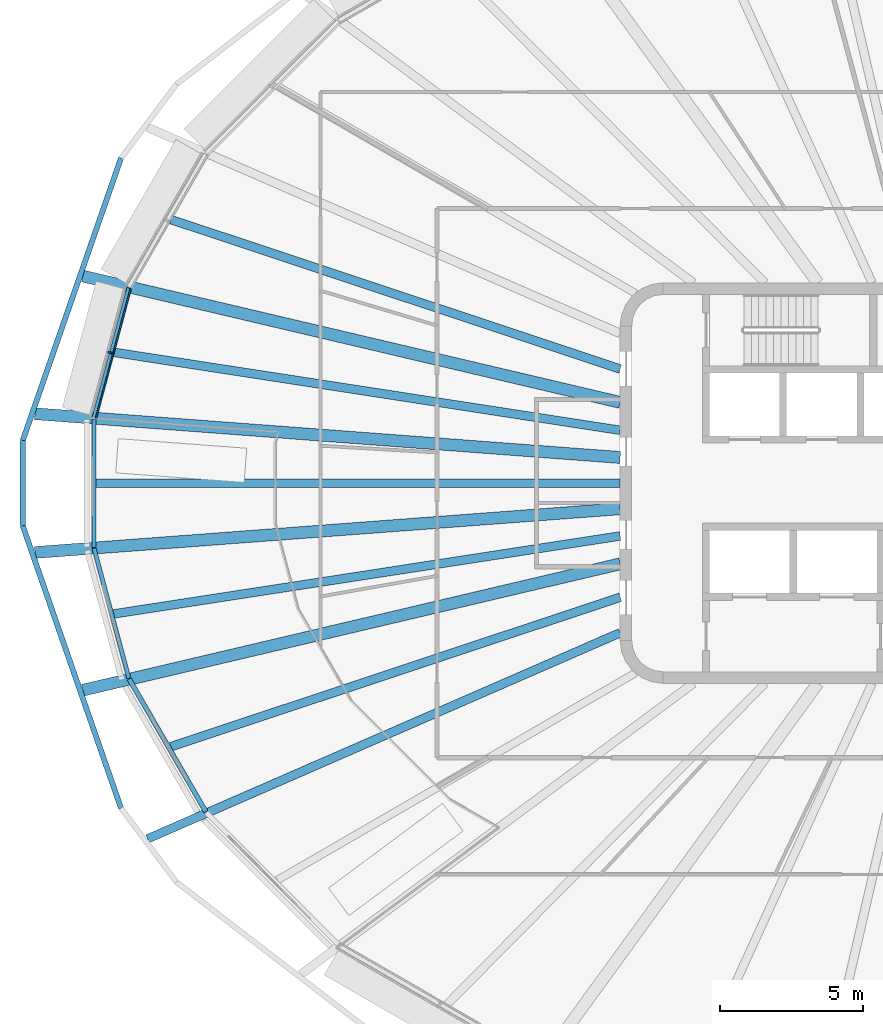
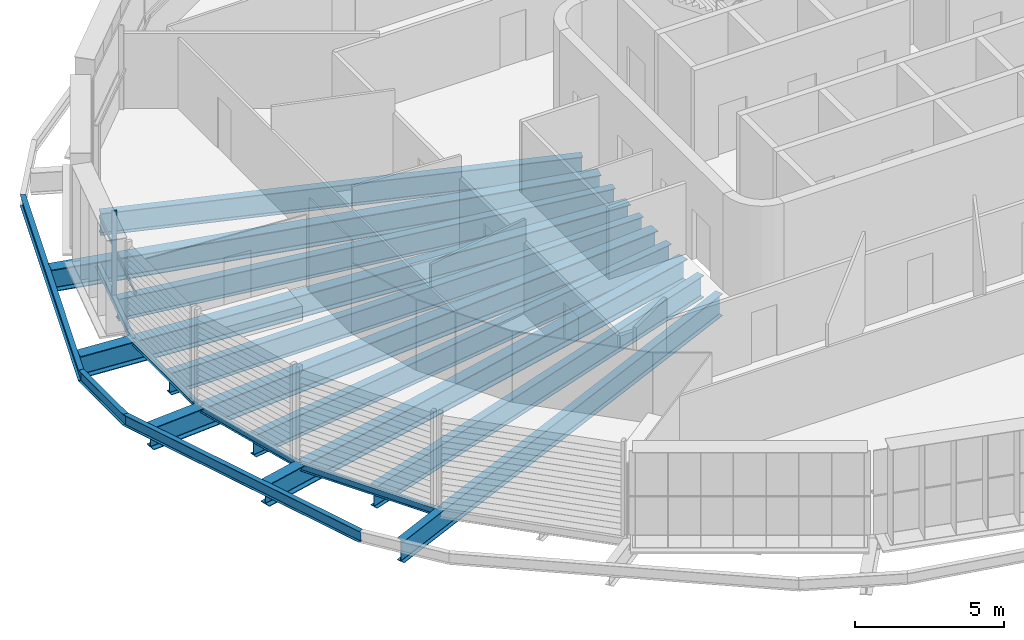
# One storey, part 2 of 20: 17 beams, 2 members, 1 element without a shape of its own.
"""IFC4 building model written with IfcOpenShell, lengths in metres."""

from ifc_helpers import new_model, si_unit, direction, frame, origin, origin_2d, place, context, subcontext, project, spatial, rectangle, i_section, extrude, material, layer, layer_set, material_profile, profile_set, type_object, element, aggregate, save


model = new_model("IFC4")

# Units and contexts
model_context = context("Model", 3, precision=1e-05, world=origin(), true_north=direction((0.0, 1.0)))
body_context = subcontext(model_context, "Body", "Model", "MODEL_VIEW")
ifc_project = project(units=[si_unit("LENGTHUNIT", "METRE"), si_unit("AREAUNIT", "SQUARE_METRE"), si_unit("VOLUMEUNIT", "CUBIC_METRE"), si_unit("PLANEANGLEUNIT", "RADIAN"), si_unit("MASSUNIT", "GRAM", prefix="KILO")], contexts=[model_context])

# Site, building, storey
site_placement = place(None, origin())
site = spatial("IfcSite", under=ifc_project, at=site_placement, CompositionType="ELEMENT")
building_placement = place(site_placement, origin())
building = spatial("IfcBuilding", under=site, at=building_placement, Name="Sahrelin Media Tower", CompositionType="ELEMENT")
storey_placement = place(building_placement, frame((0.0, 0.0, 221.60009765625)))
storey = spatial("IfcBuildingStorey", under=building, at=storey_placement, Name="L47", CompositionType="ELEMENT", Elevation=221.60009765625)

# Beams
ifc_material_1 = material(Name="Steel S355", Category="steel")
ifc_material_profile_1 = material_profile(ifc_material_1, i_section(OverallWidth=0.14599609375, OverallDepth=0.25146484375, WebThickness=0.006103515625, FlangeThickness=0.008544921875, FilletRadius=0.007568359375, at=origin_2d()), Name="UB 254x146x31")
ifc_profile_set_1 = profile_set([ifc_material_profile_1], Name="Steel S355")
beam_type_1 = type_object("IfcBeamType", Name="Edge beam EB1", PredefinedType="BEAM", material=ifc_profile_set_1)
beam_1_placement = place(storey_placement, frame((-29.1767578125, -6.8212890625, -0.32568359375), z_axis=(-0.258776720271, 0.9659371662, 0.0), x_axis=(-0.9659371662, -0.258776720271, 0.0)))
element("IfcBeam", 1, at=beam_1_placement, inside=storey, type_object=beam_type_1, Name="Edge beam L47-12", PredefinedType="BEAM", context=body_context, shape_type="SweptSolid", body=[
    extrude(i_section(OverallWidth=0.14599609375, OverallDepth=0.25146484375, WebThickness=0.006103515625, FlangeThickness=0.008544921875, FilletRadius=0.007568359375, at=origin_2d()), origin(), (0.0, 0.0, 1.0), 4.704833984375),
])
beam_2_placement = place(storey_placement, frame((-30.398193359375, -2.247802734375, -0.32568359375), z_axis=(0.0, 1.0, 0.0), x_axis=(-1.0, 0.0, 0.0)))
element("IfcBeam", 2, at=beam_2_placement, inside=storey, type_object=beam_type_1, Name="Edge beam L47-13", PredefinedType="BEAM", context=body_context, shape_type="SweptSolid", body=[
    extrude(i_section(OverallWidth=0.14599609375, OverallDepth=0.25146484375, WebThickness=0.006103515625, FlangeThickness=0.008544921875, FilletRadius=0.007568359375, at=origin_2d()), origin(), (0.0, 0.0, 1.0), 4.49560546875),
])
beam_3_placement = place(storey_placement, frame((-30.394287109375, 2.276611328125, -0.32568359375), z_axis=(0.258776720271, 0.9659371662, 0.0), x_axis=(-0.9659371662, 0.258776720271, 0.0)))
element("IfcBeam", 3, at=beam_3_placement, inside=storey, type_object=beam_type_1, Name="Edge beam L47-14", PredefinedType="BEAM", context=body_context, shape_type="SweptSolid", body=[
    extrude(i_section(OverallWidth=0.14599609375, OverallDepth=0.25146484375, WebThickness=0.006103515625, FlangeThickness=0.008544921875, FilletRadius=0.007568359375, at=origin_2d()), origin(), (0.0, 0.0, 1.0), 4.704833984375),
])
ifc_material_profile_2 = material_profile(ifc_material_1, i_section(OverallWidth=0.1650390625, OverallDepth=0.303466796875, WebThickness=0.006103515625, FlangeThickness=0.01025390625, FilletRadius=0.0087890625, at=origin_2d()), Name="UB 305x165x40")
ifc_profile_set_2 = profile_set([ifc_material_profile_2], Name="Steel S355")
beam_type_2 = type_object("IfcBeamType", Name="Edge beam EB2", PredefinedType="BEAM", material=ifc_profile_set_2)
beam_4_placement = place(storey_placement, frame((-26.484130859375, -11.4921875, -0.351806640625), z_axis=(-0.500036390221, 0.866004392861, 0.0), x_axis=(-0.866004392861, -0.500036390221, 0.0)))
element("IfcBeam", 4, at=beam_4_placement, inside=storey, type_object=beam_type_2, Name="Edge beam L47-11", PredefinedType="BEAM", context=body_context, shape_type="SweptSolid", body=[
    extrude(i_section(OverallWidth=0.1650390625, OverallDepth=0.303466796875, WebThickness=0.006103515625, FlangeThickness=0.01025390625, FilletRadius=0.0087890625, at=origin_2d()), origin(), (0.0, 0.0, 1.0), 5.36279296875),
])

# Curtain wall, member
ifc_material_2 = material(Name="Champagne anodised aluminium 6063-T6", Category="aluminium")
ifc_layer = layer(ifc_material_2, 0.14990234375)
ifc_layer_set = layer_set([ifc_layer], Name="Tower ribbon curtain wall")
curtain_wall_type = type_object("IfcCurtainWallType", Name="Tower ribbon curtain wall", PredefinedType="NOTDEFINED", material=ifc_layer_set)
curtain_wall_placement = place(storey_placement, frame((-29.930419921875, 4.587646484375, 0.0), z_axis=(0.0, 0.0, 1.0), x_axis=(1.0, 0.0, 0.0)))
curtain_wall = element("IfcCurtainWall", 5, at=curtain_wall_placement, inside=storey, type_object=curtain_wall_type, Name="L47:CW:L47-11", PredefinedType="NOTDEFINED")
ifc_material_profile_3 = material_profile(ifc_material_2, rectangle(XDim=0.06005859375, YDim=0.175048828125, at=origin_2d()), Name="Mullion 60x175")
ifc_profile_set_3 = profile_set([ifc_material_profile_3], Name="Champagne anodised aluminium 6063-T6")
member_type_1 = type_object("IfcMemberType", Name="Mullion 60x175 CW1B", PredefinedType="MULLION", material=ifc_profile_set_3)
member_1_placement = place(storey_placement, frame((-29.82666015625, 4.559814453125, 0.0), z_axis=(0.0, 0.0, 1.0), x_axis=(-0.258822416818, -0.965924922834, 0.0)))
member_1 = element("IfcMember", 6, at=member_1_placement, type_object=member_type_1, Name="L47:CWM:L47-11", PredefinedType="MULLION", context=body_context, shape_type="SweptSolid", body=[
    extrude(rectangle(XDim=0.06005859375, YDim=0.175048828125, at=origin_2d()), origin(), (0.0, 0.0, 1.0), 3.448486328125),
])

# Beams
ifc_material_profile_4 = material_profile(ifc_material_1, i_section(OverallWidth=0.30322265625, OverallDepth=0.903076171875, WebThickness=0.01513671875, FlangeThickness=0.020263671875, FilletRadius=0.01904296875, at=origin_2d()), Name="UB 914x305x201")
ifc_profile_set_4 = profile_set([ifc_material_profile_4], Name="Steel S355")
beam_type_3 = type_object("IfcBeamType", Name="Radial primary beam PB11", PredefinedType="BEAM", material=ifc_profile_set_4)
beam_5_placement = place(storey_placement, frame((-12.0, -5.232421875, -0.651611328125), z_axis=(-0.916652335259, -0.399685496691, 0.0), x_axis=(0.399685496691, -0.916652335259, 0.0)))
element("IfcBeam", 7, at=beam_5_placement, inside=storey, type_object=beam_type_3, Name="Radial beam L47-15", PredefinedType="BEAM", context=body_context, shape_type="SweptSolid", body=[
    extrude(i_section(OverallWidth=0.30322265625, OverallDepth=0.903076171875, WebThickness=0.01513671875, FlangeThickness=0.020263671875, FilletRadius=0.01904296875, at=origin_2d()), origin(), (0.0, 0.0, 1.0), 18.029296875),
])
ifc_material_profile_5 = material_profile(ifc_material_1, i_section(OverallWidth=0.41845703125, OverallDepth=0.911865234375, WebThickness=0.019287109375, FlangeThickness=0.031982421875, FilletRadius=0.024169921875, at=origin_2d()), Name="UB 914x419x343")
ifc_profile_set_5 = profile_set([ifc_material_profile_5], Name="Steel S355")
beam_type_4 = type_object("IfcBeamType", Name="Radial primary beam PB12", PredefinedType="BEAM", material=ifc_profile_set_5)
beam_6_placement = place(storey_placement, frame((-12.0, 2.822021484375, -0.60595703125), z_axis=(-0.973448019774, 0.228908175471, 0.0), x_axis=(-0.228908175471, -0.973448019774, 0.0)))
element("IfcBeam", 8, at=beam_6_placement, inside=storey, type_object=beam_type_4, Name="Radial beam L47-11", PredefinedType="BEAM", context=body_context, shape_type="SweptSolid", body=[
    extrude(i_section(OverallWidth=0.41845703125, OverallDepth=0.911865234375, WebThickness=0.019287109375, FlangeThickness=0.031982421875, FilletRadius=0.024169921875, at=origin_2d()), origin(), (0.0, 0.0, 1.0), 19.298095703125),
])
for number, where, z_axis, x_axis, name in (
    (9, (-12.0, 0.896484375, -0.656005859375), (-0.997220412151, 0.074508050505, 0.0), (-0.074508050505, -0.997220412151, 0.0), "Radial beam L47-12"),
    (10, (-12.0, -0.896484375, -0.656005859375), (-0.997220412151, -0.074508050505, 0.0), (0.074508050505, -0.997220412151, 0.0), "Radial beam L47-13"),
):
    element("IfcBeam", number, at=place(storey_placement, frame(where, z_axis=z_axis, x_axis=x_axis)), inside=storey, type_object=beam_type_4, Name=name, PredefinedType="BEAM", context=body_context, shape_type="SweptSolid", body=[
        extrude(i_section(OverallWidth=0.41845703125, OverallDepth=0.911865234375, WebThickness=0.019287109375, FlangeThickness=0.031982421875, FilletRadius=0.024169921875, at=origin_2d()), origin(), (0.0, 0.0, 1.0), 20.518798828125),
    ])
beam_7_placement = place(storey_placement, frame((-12.0, -2.822021484375, -0.656005859375), z_axis=(-0.973448019774, -0.228908175471, 0.0), x_axis=(0.228908175471, -0.973448019774, 0.0)))
element("IfcBeam", 11, at=beam_7_placement, inside=storey, type_object=beam_type_4, Name="Radial beam L47-14", PredefinedType="BEAM", context=body_context, shape_type="SweptSolid", body=[
    extrude(i_section(OverallWidth=0.41845703125, OverallDepth=0.911865234375, WebThickness=0.019287109375, FlangeThickness=0.031982421875, FilletRadius=0.024169921875, at=origin_2d()), origin(), (0.0, 0.0, 1.0), 19.298095703125),
])
ifc_material_profile_6 = material_profile(ifc_material_1, i_section(OverallWidth=0.30322265625, OverallDepth=0.903076171875, WebThickness=0.01513671875, FlangeThickness=0.020263671875, FilletRadius=0.01904296875, at=origin_2d()), Name="UB 914x305x201")
ifc_profile_set_6 = profile_set([ifc_material_profile_6], Name="Steel S355")
beam_type_5 = type_object("IfcBeamType", Name="Radial secondary beam SB11", PredefinedType="BEAM", material=ifc_profile_set_6)
beam_8_placement = place(storey_placement, frame((-12.0, 3.990966796875, -0.6015625), z_axis=(-0.948898451787, 0.315581571381, 0.0), x_axis=(-0.315581571381, -0.948898451787, 0.0)))
element("IfcBeam", 12, at=beam_8_placement, inside=storey, type_object=beam_type_5, Name="Secondary beam L47-10", PredefinedType="BEAM", context=body_context, shape_type="SweptSolid", body=[
    extrude(i_section(OverallWidth=0.30322265625, OverallDepth=0.903076171875, WebThickness=0.01513671875, FlangeThickness=0.020263671875, FilletRadius=0.01904296875, at=origin_2d()), origin(), (0.0, 0.0, 1.0), 16.550048828125),
])
beam_9_placement = place(storey_placement, frame((-12.0, 1.84765625, -0.6015625), z_axis=(-0.988354988982, 0.152165750927, 0.0), x_axis=(-0.152165750927, -0.988354988982, 0.0)))
element("IfcBeam", 13, at=beam_9_placement, inside=storey, type_object=beam_type_5, Name="Secondary beam L47-11", PredefinedType="BEAM", context=body_context, shape_type="SweptSolid", body=[
    extrude(i_section(OverallWidth=0.30322265625, OverallDepth=0.903076171875, WebThickness=0.01513671875, FlangeThickness=0.020263671875, FilletRadius=0.01904296875, at=origin_2d()), origin(), (0.0, 0.0, 1.0), 17.911865234375),
])
beam_10_placement = place(storey_placement, frame((-12.0, 0.0, -0.651611328125), z_axis=(-1.0, 0.0, 0.0), x_axis=(0.0, -1.0, 0.0)))
element("IfcBeam", 14, at=beam_10_placement, inside=storey, type_object=beam_type_5, Name="Secondary beam L47-12", PredefinedType="BEAM", context=body_context, shape_type="SweptSolid", body=[
    extrude(i_section(OverallWidth=0.30322265625, OverallDepth=0.903076171875, WebThickness=0.01513671875, FlangeThickness=0.020263671875, FilletRadius=0.01904296875, at=origin_2d()), origin(), (0.0, 0.0, 1.0), 18.3251953125),
])
beam_11_placement = place(storey_placement, frame((-12.0, -1.84765625, -0.651611328125), z_axis=(-0.988354988982, -0.152165750927, 0.0), x_axis=(0.152165750927, -0.988354988982, 0.0)))
element("IfcBeam", 15, at=beam_11_placement, inside=storey, type_object=beam_type_5, Name="Secondary beam L47-13", PredefinedType="BEAM", context=body_context, shape_type="SweptSolid", body=[
    extrude(i_section(OverallWidth=0.30322265625, OverallDepth=0.903076171875, WebThickness=0.01513671875, FlangeThickness=0.020263671875, FilletRadius=0.01904296875, at=origin_2d()), origin(), (0.0, 0.0, 1.0), 17.911865234375),
])
beam_12_placement = place(storey_placement, frame((-12.0, -3.990966796875, -0.651611328125), z_axis=(-0.948898451787, -0.315581571381, 0.0), x_axis=(0.315581571381, -0.948898451787, 0.0)))
element("IfcBeam", 16, at=beam_12_placement, inside=storey, type_object=beam_type_5, Name="Secondary beam L47-14", PredefinedType="BEAM", context=body_context, shape_type="SweptSolid", body=[
    extrude(i_section(OverallWidth=0.30322265625, OverallDepth=0.903076171875, WebThickness=0.01513671875, FlangeThickness=0.020263671875, FilletRadius=0.01904296875, at=origin_2d()), origin(), (0.0, 0.0, 1.0), 16.550048828125),
])
ifc_material_profile_7 = material_profile(ifc_material_1, i_section(OverallWidth=0.1904296875, OverallDepth=0.45703125, WebThickness=0.009033203125, FlangeThickness=0.014404296875, FilletRadius=0.01025390625, at=origin_2d()), Name="UB 457x191x74")
ifc_profile_set_7 = profile_set([ifc_material_profile_7], Name="Steel S355")
beam_type_6 = type_object("IfcBeamType", Name="Tie chord TC5", PredefinedType="BEAM", material=ifc_profile_set_7)
beam_13_placement = place(storey_placement, frame((-29.44970703125, 11.366455078125, -0.378662109375), z_axis=(-0.328792248997, -0.944402274987, 0.0), x_axis=(0.944402274987, -0.328792248997, 0.0)))
element("IfcBeam", 17, at=beam_13_placement, inside=storey, type_object=beam_type_6, Name="Tie chord L47-11", PredefinedType="BEAM", context=body_context, shape_type="SweptSolid", body=[
    extrude(i_section(OverallWidth=0.1904296875, OverallDepth=0.45703125, WebThickness=0.009033203125, FlangeThickness=0.014404296875, FilletRadius=0.01025390625, at=origin_2d()), origin(), (0.0, 0.0, 1.0), 10.4580078125),
])
beam_14_placement = place(storey_placement, frame((-32.88818359375, 1.489990234375, -0.378662109375), z_axis=(0.0, -1.0, 0.0), x_axis=(1.0, 0.0, 0.0)))
element("IfcBeam", 18, at=beam_14_placement, inside=storey, type_object=beam_type_6, Name="Tie chord L47-12", PredefinedType="BEAM", context=body_context, shape_type="SweptSolid", body=[
    extrude(i_section(OverallWidth=0.1904296875, OverallDepth=0.45703125, WebThickness=0.009033203125, FlangeThickness=0.014404296875, FilletRadius=0.01025390625, at=origin_2d()), origin(), (0.0, 0.0, 1.0), 2.97998046875),
])
beam_15_placement = place(storey_placement, frame((-32.88818359375, -1.489990234375, -0.378662109375), z_axis=(0.328792248997, -0.944402274987, 0.0), x_axis=(0.944402274987, 0.328792248997, 0.0)))
element("IfcBeam", 19, at=beam_15_placement, inside=storey, type_object=beam_type_6, Name="Tie chord L47-13", PredefinedType="BEAM", context=body_context, shape_type="SweptSolid", body=[
    extrude(i_section(OverallWidth=0.1904296875, OverallDepth=0.45703125, WebThickness=0.009033203125, FlangeThickness=0.014404296875, FilletRadius=0.01025390625, at=origin_2d()), origin(), (0.0, 0.0, 1.0), 10.4580078125),
])

# Member
ifc_material_profile_8 = material_profile(ifc_material_2, rectangle(XDim=0.050048828125, YDim=0.110107421875, at=origin_2d()), Name="Transom 50x110")
ifc_profile_set_8 = profile_set([ifc_material_profile_8], Name="Champagne anodised aluminium 6063-T6")
member_type_2 = type_object("IfcMemberType", Name="Transom 50x110 CW1B", PredefinedType="USERDEFINED", material=ifc_profile_set_8)
member_2_placement = place(storey_placement, frame((-29.113037109375, 6.787841796875, 1.599853515625), z_axis=(-0.258849236455, -0.965917736035, 0.0), x_axis=(0.965917736035, -0.258849236455, 0.0)))
member_2 = element("IfcMember", 20, at=member_2_placement, type_object=member_type_2, Name="L47:CWT:L47-11", ObjectType="TRANSOM", PredefinedType="USERDEFINED", context=body_context, shape_type="SweptSolid", body=[
    extrude(rectangle(XDim=0.050048828125, YDim=0.110107421875, at=origin_2d()), origin(), (0.0, 0.0, 1.0), 4.67333984375),
])

aggregate(curtain_wall, [member_1, member_2])

save(model, "model.ifc")
